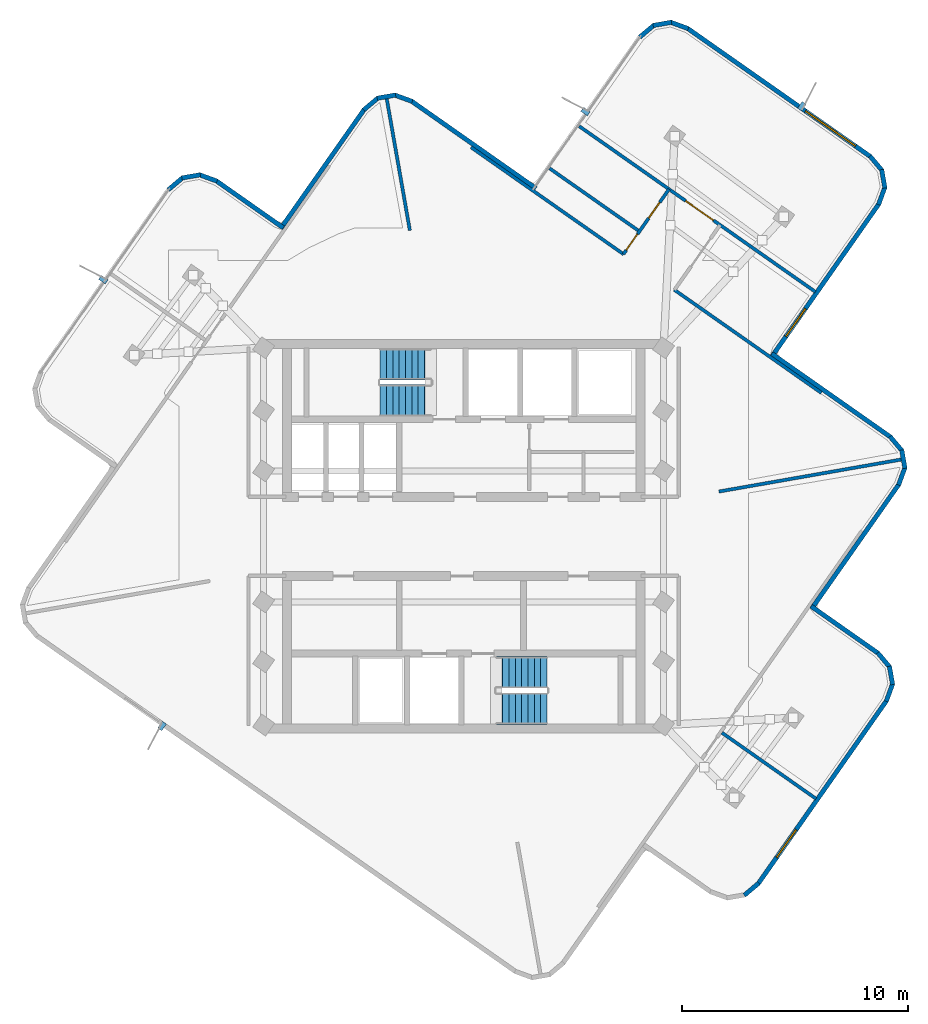
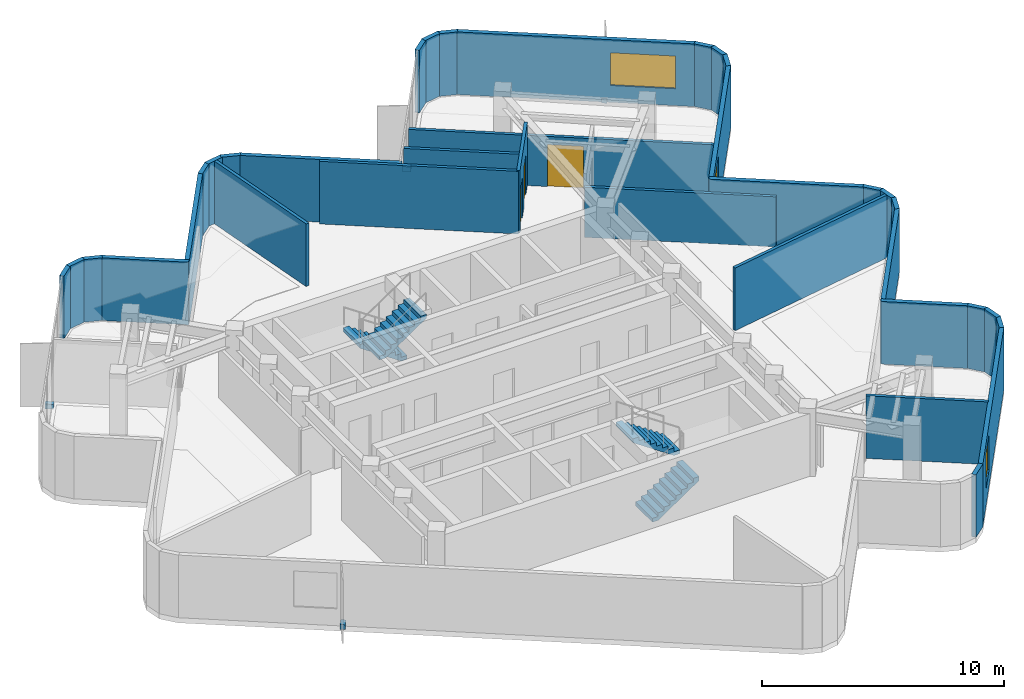
# One storey, part 7 of 9: 36 walls, 4 discrete accessories, 4 stair flights, 3 doors, 3 windows, 6 openings, 2 elements without a shape of their own.
"""IFC4 building model written with IfcOpenShell, lengths in metres."""

from ifc_helpers import new_model, si_unit, direction, frame, frame_2d, origin, origin_2d, place, context, subcontext, project, spatial, polyline, rectangle, outline, extrude, material, layer, layer_set, type_object, element, fill, aggregate, save


model = new_model("IFC4")

# Units and contexts
model_context = context("Model", 3, precision=1e-05, world=origin(), true_north=direction((0.0, 1.0)))
body_context = subcontext(model_context, "Body", "Model", "MODEL_VIEW")
ifc_project = project(units=[si_unit("LENGTHUNIT", "METRE"), si_unit("AREAUNIT", "SQUARE_METRE"), si_unit("VOLUMEUNIT", "CUBIC_METRE"), si_unit("PLANEANGLEUNIT", "RADIAN"), si_unit("MASSUNIT", "GRAM", prefix="KILO")], contexts=[model_context])

# Site, building, storey
site_placement = place(None, origin())
site = spatial("IfcSite", under=ifc_project, at=site_placement, CompositionType="ELEMENT")
building_placement = place(site_placement, origin())
building = spatial("IfcBuilding", under=site, at=building_placement, Name="Solmarez Civic Tower", CompositionType="ELEMENT")
storey_placement = place(building_placement, frame((0.0, 0.0, 268.02001953125)))
storey = spatial("IfcBuildingStorey", under=building, at=storey_placement, Name="L72", CompositionType="ELEMENT", Elevation=268.02001953125)

# Walls
ifc_material_1 = material(Name="Precast concrete C40/50", Category="concrete")
ifc_layer_1 = layer(ifc_material_1, 0.199951171875)
ifc_layer_set_1 = layer_set([ifc_layer_1], Name="Precast concrete C40/50")
wall_type_1 = type_object("IfcWallType", Name="WALL-EXT-200", PredefinedType="SOLIDWALL", material=ifc_layer_set_1)
wall_1_placement = place(storey_placement, frame((-13.06396484375, 15.344970703125, 0.0), z_axis=(0.0, 0.0, 1.0), x_axis=(0.766330415365, 0.642446647191, 0.0)))
element("IfcWall", 1, at=wall_1_placement, inside=storey, type_object=wall_type_1, Name="L72 Exterior Precast Wall 18", PredefinedType="SOLIDWALL", context=body_context, shape_type="SweptSolid", body=[
    extrude(rectangle(XDim=0.837646484375, YDim=0.199951171875, at=frame_2d((0.4189453125, 0.0))), origin(), (0.0, 0.0, 1.0), 3.159912109375),
])
wall_2_placement = place(storey_placement, frame((-12.466064453125, 15.863037109375, 0.0), z_axis=(0.0, 0.0, 1.0), x_axis=(0.985118245285, 0.171877988141, 0.0)))
element("IfcWall", 2, at=wall_2_placement, inside=storey, type_object=wall_type_1, Name="L72 Exterior Precast Wall 19", PredefinedType="SOLIDWALL", context=body_context, shape_type="SweptSolid", body=[
    extrude(rectangle(XDim=0.8251953125, YDim=0.199951171875, at=frame_2d((0.41259765625, 0.0))), origin(), (0.0, 0.0, 1.0), 3.159912109375),
])
wall_3_placement = place(storey_placement, frame((-11.700927734375, 16.010009765625, 0.0), z_axis=(0.0, 0.0, 1.0), x_axis=(0.939042573482, -0.343800880145, 0.0)))
element("IfcWall", 3, at=wall_3_placement, inside=storey, type_object=wall_type_1, Name="L72 Exterior Precast Wall 20", PredefinedType="SOLIDWALL", context=body_context, shape_type="SweptSolid", body=[
    extrude(rectangle(XDim=0.837890625, YDim=0.199951171875, at=frame_2d((0.4189453125, 0.0))), origin(), (0.0, 0.0, 1.0), 3.159912109375),
])
wall_4_placement = place(storey_placement, frame((-10.95703125, 15.7451171875, 0.0), z_axis=(0.0, 0.0, 1.0), x_axis=(0.818576054501, -0.574398157202, 0.0)))
element("IfcWall", 4, at=wall_4_placement, inside=storey, type_object=wall_type_1, Name="L72 Exterior Precast Wall 21", PredefinedType="SOLIDWALL", context=body_context, shape_type="SweptSolid", body=[
    extrude(rectangle(XDim=3.640380859375, YDim=0.199951171875, at=frame_2d((1.8203125, 0.0))), origin(), (0.0, 0.0, 1.0), 3.159912109375),
])
wall_5_placement = place(storey_placement, frame((-8.087890625, 13.635009765625, 0.0), z_axis=(0.0, 0.0, 1.0), x_axis=(0.574286279317, 0.818654548261, 0.0)))
element("IfcWall", 5, at=wall_5_placement, inside=storey, type_object=wall_type_1, Name="L72 Exterior Precast Wall 24", PredefinedType="SOLIDWALL", context=body_context, shape_type="SweptSolid", body=[
    extrude(rectangle(XDim=6.44091796875, YDim=0.199951171875, at=frame_2d((3.220458984375, 0.0))), origin(), (0.0, 0.0, 1.0), 3.159912109375),
])
wall_6_placement = place(storey_placement, frame((-4.422119140625, 18.8720703125, 0.0), z_axis=(0.0, 0.0, 1.0), x_axis=(0.766020352528, 0.642816318642, 0.0)))
element("IfcWall", 6, at=wall_6_placement, inside=storey, type_object=wall_type_1, Name="L72 Exterior Precast Wall 25", PredefinedType="SOLIDWALL", context=body_context, shape_type="SweptSolid", body=[
    extrude(rectangle(XDim=0.838134765625, YDim=0.199951171875, at=frame_2d((0.4189453125, 0.0))), origin(), (0.0, 0.0, 1.0), 3.159912109375),
])
wall_7_placement = place(storey_placement, frame((-3.823974609375, 19.39111328125, 0.0), z_axis=(0.0, 0.0, 1.0), x_axis=(0.985118245285, 0.171877988141, 0.0)))
element("IfcWall", 7, at=wall_7_placement, inside=storey, type_object=wall_type_1, Name="L72 Exterior Precast Wall 26", PredefinedType="SOLIDWALL", context=body_context, shape_type="SweptSolid", body=[
    extrude(rectangle(XDim=0.8251953125, YDim=0.199951171875, at=frame_2d((0.41259765625, 0.0))), origin(), (0.0, 0.0, 1.0), 3.159912109375),
])
wall_8_placement = place(storey_placement, frame((-3.05908203125, 19.5380859375, 0.0), z_axis=(0.0, 0.0, 1.0), x_axis=(0.938939131905, -0.344083284363, 0.0)))
element("IfcWall", 8, at=wall_8_placement, inside=storey, type_object=wall_type_1, Name="L72 Exterior Precast Wall 27", PredefinedType="SOLIDWALL", context=body_context, shape_type="SweptSolid", body=[
    extrude(rectangle(XDim=0.837158203125, YDim=0.199951171875, at=frame_2d((0.41845703125, 0.0))), origin(), (0.0, 0.0, 1.0), 3.159912109375),
])
wall_9_placement = place(storey_placement, frame((-2.31591796875, 19.27294921875, 0.0), z_axis=(0.0, 0.0, 1.0), x_axis=(0.818695592978, -0.574227764949, 0.0)))
element("IfcWall", 9, at=wall_9_placement, inside=storey, type_object=wall_type_1, Name="L72 Exterior Precast Wall 28", PredefinedType="SOLIDWALL", context=body_context, shape_type="SweptSolid", body=[
    extrude(rectangle(XDim=6.740966796875, YDim=0.199951171875, at=frame_2d((3.37060546875, 0.0))), origin(), (0.0, 0.0, 1.0), 3.159912109375),
])
wall_10_placement = place(storey_placement, frame((7.791015625, 22.093994140625, 0.0), z_axis=(0.0, 0.0, 1.0), x_axis=(0.766450684477, 0.642303159159, 0.0)))
element("IfcWall", 10, at=wall_10_placement, inside=storey, type_object=wall_type_1, Name="L72 Exterior Precast Wall 32", PredefinedType="SOLIDWALL", context=body_context, shape_type="SweptSolid", body=[
    extrude(rectangle(XDim=0.837646484375, YDim=0.199951171875, at=frame_2d((0.4189453125, 0.0))), origin(), (0.0, 0.0, 1.0), 3.159912109375),
])
wall_11_placement = place(storey_placement, frame((8.388916015625, 22.612060546875, 0.0), z_axis=(0.0, 0.0, 1.0), x_axis=(0.985118245285, 0.171877988141, 0.0)))
element("IfcWall", 11, at=wall_11_placement, inside=storey, type_object=wall_type_1, Name="L72 Exterior Precast Wall 33", PredefinedType="SOLIDWALL", context=body_context, shape_type="SweptSolid", body=[
    extrude(rectangle(XDim=0.8251953125, YDim=0.199951171875, at=frame_2d((0.41259765625, 0.0))), origin(), (0.0, 0.0, 1.0), 3.159912109375),
])
wall_12_placement = place(storey_placement, frame((9.154052734375, 22.759033203125, 0.0), z_axis=(0.0, 0.0, 1.0), x_axis=(0.939042573482, -0.343800880145, 0.0)))
element("IfcWall", 12, at=wall_12_placement, inside=storey, type_object=wall_type_1, Name="L72 Exterior Precast Wall 34", PredefinedType="SOLIDWALL", context=body_context, shape_type="SweptSolid", body=[
    extrude(rectangle(XDim=0.837890625, YDim=0.199951171875, at=frame_2d((0.4189453125, 0.0))), origin(), (0.0, 0.0, 1.0), 3.159912109375),
])

# Wall, opening, window
wall_13_placement = place(storey_placement, frame((9.89794921875, 22.493896484375, 0.0), z_axis=(0.0, 0.0, 1.0), x_axis=(0.818760017785, -0.5741359014, 0.0)))
wall_13 = element("IfcWall", 13, at=wall_13_placement, inside=storey, type_object=wall_type_1, Name="L72 Exterior Precast Wall 35", PredefinedType="SOLIDWALL", context=body_context, shape_type="SweptSolid", body=[
    extrude(rectangle(XDim=9.92236328125, YDim=0.199951171875, at=frame_2d((4.961181640625, 0.0))), origin(), (0.0, 0.0, 1.0), 3.159912109375),
])
opening_1_placement = place(wall_13_placement, frame((6.389892578125, 0.0, 0.85009765625)))
opening_1 = element("IfcOpeningElement", 14, at=opening_1_placement, cuts=wall_13, Name="Opening W-09", PredefinedType="OPENING", context=body_context, shape_type="SweptSolid", body=[
    extrude(rectangle(XDim=2.699951171875, YDim=1.64990234375, at=frame_2d((1.35009765625, 0.824951171875))), frame((0.0, 0.10986328125, 0.0), z_axis=(0.0, -1.0, 0.0), x_axis=(1.0, 0.0, 0.0)), (0.0, 0.0, 1.0), 0.219970703125),
])
ifc_material_2 = material(Name="Solar Control Bronze-Tinted Insulating Glass", Category="glass")
window_type_1 = type_object("IfcWindowType", Name="WIN-2700X1650", PartitioningType="SINGLE_PANEL", PredefinedType="WINDOW", material=ifc_material_2)
window_1_placement = place(opening_1_placement, origin())
window_1 = element("IfcWindow", 15, at=window_1_placement, inside=storey, type_object=window_type_1, Name="L72 Exterior Facade Window 35", OverallHeight=1.64990234375, OverallWidth=2.699951171875, PartitioningType="SINGLE_PANEL", PredefinedType="WINDOW", context=body_context, shape_type="SweptSolid", body=[
    extrude(rectangle(XDim=2.699951171875, YDim=1.64990234375, at=frame_2d((1.35009765625, 0.824951171875))), frame((0.0, 0.030029296875, 0.0), z_axis=(0.0, -1.0, 0.0), x_axis=(1.0, 0.0, 0.0)), (0.0, 0.0, 1.0), 0.06005859375),
])
fill(opening_1, window_1)

# Walls
wall_14_placement = place(storey_placement, frame((17.986083984375, 16.830078125, 0.0), z_axis=(0.0, 0.0, 1.0), x_axis=(0.642131913787, -0.766594159446, 0.0)))
element("IfcWall", 16, at=wall_14_placement, inside=storey, type_object=wall_type_1, Name="L72 Exterior Precast Wall 36", PredefinedType="SOLIDWALL", context=body_context, shape_type="SweptSolid", body=[
    extrude(rectangle(XDim=0.837646484375, YDim=0.199951171875, at=frame_2d((0.4189453125, 0.0))), origin(), (0.0, 0.0, 1.0), 3.159912109375),
])
wall_15_placement = place(storey_placement, frame((18.50390625, 16.23193359375, 0.0), z_axis=(0.0, 0.0, 1.0), x_axis=(0.172165058078, -0.985068115806, 0.0)))
element("IfcWall", 17, at=wall_15_placement, inside=storey, type_object=wall_type_1, Name="L72 Exterior Precast Wall 37", PredefinedType="SOLIDWALL", context=body_context, shape_type="SweptSolid", body=[
    extrude(rectangle(XDim=0.8251953125, YDim=0.199951171875, at=frame_2d((0.41259765625, 0.0))), origin(), (0.0, 0.0, 1.0), 3.159912109375),
])
wall_16_placement = place(storey_placement, frame((18.65087890625, 15.467041015625, 0.0), z_axis=(0.0, 0.0, 1.0), x_axis=(-0.343826172689, -0.939033313027, 0.0)))
element("IfcWall", 18, at=wall_16_placement, inside=storey, type_object=wall_type_1, Name="L72 Exterior Precast Wall 38", PredefinedType="SOLIDWALL", context=body_context, shape_type="SweptSolid", body=[
    extrude(rectangle(XDim=0.837158203125, YDim=0.199951171875, at=frame_2d((0.41845703125, 0.0))), origin(), (0.0, 0.0, 1.0), 3.159912109375),
])

# Wall, opening, window
wall_17_placement = place(storey_placement, frame((18.385986328125, 14.72412109375, 0.0), z_axis=(0.0, 0.0, 1.0), x_axis=(-0.574193796103, -0.818719417454, 0.0)))
wall_17 = element("IfcWall", 19, at=wall_17_placement, inside=storey, type_object=wall_type_1, Name="L72 Exterior Precast Wall 39", PredefinedType="SOLIDWALL", context=body_context, shape_type="SweptSolid", body=[
    extrude(rectangle(XDim=8.240966796875, YDim=0.199951171875, at=frame_2d((4.12060546875, 0.0))), origin(), (0.0, 0.0, 1.0), 3.159912109375),
])
opening_2_placement = place(wall_17_placement, frame((5.677978515625, 0.0, 0.85009765625)))
opening_2 = element("IfcOpeningElement", 20, at=opening_2_placement, cuts=wall_17, Name="Opening W-13", PredefinedType="OPENING", context=body_context, shape_type="SweptSolid", body=[
    extrude(rectangle(XDim=1.5, YDim=1.800048828125, at=frame_2d((0.75, 0.89990234375))), frame((0.0, 0.10986328125, 0.0), z_axis=(0.0, -1.0, 0.0), x_axis=(1.0, 0.0, 0.0)), (0.0, 0.0, 1.0), 0.219970703125),
])
window_type_2 = type_object("IfcWindowType", Name="WIN-1500X1800", PartitioningType="SINGLE_PANEL", PredefinedType="WINDOW", material=ifc_material_2)
window_2_placement = place(opening_2_placement, origin())
window_2 = element("IfcWindow", 21, at=window_2_placement, inside=storey, type_object=window_type_2, Name="L72 Exterior Facade Window 39", OverallHeight=1.800048828125, OverallWidth=1.5, PartitioningType="SINGLE_PANEL", PredefinedType="WINDOW", context=body_context, shape_type="SweptSolid", body=[
    extrude(rectangle(XDim=1.5, YDim=1.800048828125, at=frame_2d((0.75, 0.89990234375))), frame((0.0, 0.030029296875, 0.0), z_axis=(0.0, -1.0, 0.0), x_axis=(1.0, 0.0, 0.0)), (0.0, 0.0, 1.0), 0.06005859375),
])
fill(opening_2, window_2)

# Walls
wall_18_placement = place(storey_placement, frame((13.635009765625, 8.087890625, 0.0), z_axis=(0.0, 0.0, 1.0), x_axis=(0.818654548261, -0.574286279317, 0.0)))
element("IfcWall", 22, at=wall_18_placement, inside=storey, type_object=wall_type_1, Name="L72 Exterior Precast Wall 42", PredefinedType="SOLIDWALL", context=body_context, shape_type="SweptSolid", body=[
    extrude(rectangle(XDim=6.44091796875, YDim=0.199951171875, at=frame_2d((3.220458984375, 0.0))), origin(), (0.0, 0.0, 1.0), 3.159912109375),
])
wall_19_placement = place(storey_placement, frame((18.8720703125, 4.422119140625, 0.0), z_axis=(0.0, 0.0, 1.0), x_axis=(0.642816318642, -0.766020352528, 0.0)))
element("IfcWall", 23, at=wall_19_placement, inside=storey, type_object=wall_type_1, Name="L72 Exterior Precast Wall 43", PredefinedType="SOLIDWALL", context=body_context, shape_type="SweptSolid", body=[
    extrude(rectangle(XDim=0.838134765625, YDim=0.199951171875, at=frame_2d((0.4189453125, 0.0))), origin(), (0.0, 0.0, 1.0), 3.159912109375),
])
wall_20_placement = place(storey_placement, frame((19.39111328125, 3.823974609375, 0.0), z_axis=(0.0, 0.0, 1.0), x_axis=(0.171877988141, -0.985118245285, 0.0)))
element("IfcWall", 24, at=wall_20_placement, inside=storey, type_object=wall_type_1, Name="L72 Exterior Precast Wall 44", PredefinedType="SOLIDWALL", context=body_context, shape_type="SweptSolid", body=[
    extrude(rectangle(XDim=0.8251953125, YDim=0.199951171875, at=frame_2d((0.41259765625, 0.0))), origin(), (0.0, 0.0, 1.0), 3.159912109375),
])
wall_21_placement = place(storey_placement, frame((19.5380859375, 3.05908203125, 0.0), z_axis=(0.0, 0.0, 1.0), x_axis=(-0.344083284363, -0.938939131905, 0.0)))
element("IfcWall", 25, at=wall_21_placement, inside=storey, type_object=wall_type_1, Name="L72 Exterior Precast Wall 45", PredefinedType="SOLIDWALL", context=body_context, shape_type="SweptSolid", body=[
    extrude(rectangle(XDim=0.837158203125, YDim=0.199951171875, at=frame_2d((0.41845703125, 0.0))), origin(), (0.0, 0.0, 1.0), 3.159912109375),
])
wall_22_placement = place(storey_placement, frame((19.27294921875, 2.31591796875, 0.0), z_axis=(0.0, 0.0, 1.0), x_axis=(-0.574227764949, -0.818695592978, 0.0)))
element("IfcWall", 26, at=wall_22_placement, inside=storey, type_object=wall_type_1, Name="L72 Exterior Precast Wall 46", PredefinedType="SOLIDWALL", context=body_context, shape_type="SweptSolid", body=[
    extrude(rectangle(XDim=6.740966796875, YDim=0.199951171875, at=frame_2d((3.37060546875, 0.0))), origin(), (0.0, 0.0, 1.0), 3.159912109375),
])
wall_23_placement = place(storey_placement, frame((15.383056640625, -3.092041015625, 0.0), z_axis=(0.0, 0.0, 1.0), x_axis=(0.818664531158, -0.574272048269, 0.0)))
element("IfcWall", 27, at=wall_23_placement, inside=storey, type_object=wall_type_1, Name="L72 Exterior Precast Wall 49", PredefinedType="SOLIDWALL", context=body_context, shape_type="SweptSolid", body=[
    extrude(rectangle(XDim=3.641357421875, YDim=0.199951171875, at=frame_2d((1.82080078125, 0.0))), origin(), (0.0, 0.0, 1.0), 3.159912109375),
])
wall_24_placement = place(storey_placement, frame((18.327880859375, -5.14990234375, 0.0), z_axis=(0.0, 0.0, 1.0), x_axis=(0.642303159159, -0.766450684477, 0.0)))
element("IfcWall", 28, at=wall_24_placement, inside=storey, type_object=wall_type_1, Name="L72 Exterior Precast Wall 50", PredefinedType="SOLIDWALL", context=body_context, shape_type="SweptSolid", body=[
    extrude(rectangle(XDim=0.837646484375, YDim=0.199951171875, at=frame_2d((0.4189453125, 0.0))), origin(), (0.0, 0.0, 1.0), 3.159912109375),
])
wall_25_placement = place(storey_placement, frame((18.845947265625, -5.748046875, 0.0), z_axis=(0.0, 0.0, 1.0), x_axis=(0.172165058078, -0.985068115806, 0.0)))
element("IfcWall", 29, at=wall_25_placement, inside=storey, type_object=wall_type_1, Name="L72 Exterior Precast Wall 51", PredefinedType="SOLIDWALL", context=body_context, shape_type="SweptSolid", body=[
    extrude(rectangle(XDim=0.8251953125, YDim=0.199951171875, at=frame_2d((0.41259765625, 0.0))), origin(), (0.0, 0.0, 1.0), 3.159912109375),
])
wall_26_placement = place(storey_placement, frame((18.992919921875, -6.512939453125, 0.0), z_axis=(0.0, 0.0, 1.0), x_axis=(-0.343449935769, -0.93917098636, 0.0)))
element("IfcWall", 30, at=wall_26_placement, inside=storey, type_object=wall_type_1, Name="L72 Exterior Precast Wall 52", PredefinedType="SOLIDWALL", context=body_context, shape_type="SweptSolid", body=[
    extrude(rectangle(XDim=0.838134765625, YDim=0.199951171875, at=frame_2d((0.4189453125, 0.0))), origin(), (0.0, 0.0, 1.0), 3.159912109375),
])

# Wall, opening, window
wall_27_placement = place(storey_placement, frame((18.72802734375, -7.257080078125, 0.0), z_axis=(0.0, 0.0, 1.0), x_axis=(-0.574152395536, -0.818748451419, 0.0)))
wall_27 = element("IfcWall", 31, at=wall_27_placement, inside=storey, type_object=wall_type_1, Name="L72 Exterior Precast Wall 53", PredefinedType="SOLIDWALL", context=body_context, shape_type="SweptSolid", body=[
    extrude(rectangle(XDim=9.922607421875, YDim=0.199951171875, at=frame_2d((4.96142578125, 0.0))), origin(), (0.0, 0.0, 1.0), 3.159912109375),
])
opening_3_placement = place(wall_27_placement, frame((6.989990234375, 0.0, 0.85009765625)))
opening_3 = element("IfcOpeningElement", 32, at=opening_3_placement, cuts=wall_27, Name="Opening W-13", PredefinedType="OPENING", context=body_context, shape_type="SweptSolid", body=[
    extrude(rectangle(XDim=1.5, YDim=1.800048828125, at=frame_2d((0.75, 0.89990234375))), frame((0.0, 0.10986328125, 0.0), z_axis=(0.0, -1.0, 0.0), x_axis=(1.0, 0.0, 0.0)), (0.0, 0.0, 1.0), 0.219970703125),
])
window_3_placement = place(opening_3_placement, origin())
window_3 = element("IfcWindow", 33, at=window_3_placement, inside=storey, type_object=window_type_2, Name="L72 Exterior Facade Window 53", OverallHeight=1.800048828125, OverallWidth=1.5, PartitioningType="SINGLE_PANEL", PredefinedType="WINDOW", context=body_context, shape_type="SweptSolid", body=[
    extrude(rectangle(XDim=1.5, YDim=1.800048828125, at=frame_2d((0.75, 0.89990234375))), frame((0.0, 0.030029296875, 0.0), z_axis=(0.0, -1.0, 0.0), x_axis=(1.0, 0.0, 0.0)), (0.0, 0.0, 1.0), 0.06005859375),
])
fill(opening_3, window_3)

# Walls
wall_28_placement = place(storey_placement, frame((13.06396484375, -15.344970703125, 0.0), z_axis=(0.0, 0.0, 1.0), x_axis=(-0.766330415365, -0.642446647191, 0.0)))
element("IfcWall", 34, at=wall_28_placement, inside=storey, type_object=wall_type_1, Name="L72 Exterior Precast Wall 54", PredefinedType="SOLIDWALL", context=body_context, shape_type="SweptSolid", body=[
    extrude(rectangle(XDim=0.837646484375, YDim=0.199951171875, at=frame_2d((0.4189453125, 0.0))), origin(), (0.0, 0.0, 1.0), 3.159912109375),
])
ifc_material_3 = material(Name="Gypsum Board Acoustic Steel-Stud Partition", Category="steel")
ifc_layer_2 = layer(ifc_material_3, 0.14501953125)
ifc_layer_set_2 = layer_set([ifc_layer_2], Name="Gypsum Board Acoustic Steel-Stud Partition")
wall_type_2 = type_object("IfcWallType", Name="WALL-INT-PART-150", PredefinedType="PARTITIONING", material=ifc_layer_set_2)
wall_29_placement = place(storey_placement, frame((-2.3779296875, 13.5400390625, 0.0), z_axis=(0.0, 0.0, 1.0), x_axis=(-0.173019547247, 0.984918390665, 0.0)))
element("IfcWall", 35, at=wall_29_placement, inside=storey, type_object=wall_type_2, Name="L72 Interior Partition PT-L72-QDIV-1", PredefinedType="PARTITIONING", context=body_context, shape_type="SweptSolid", body=[
    extrude(rectangle(XDim=5.947509765625, YDim=0.14501953125, at=frame_2d((2.9736328125, 0.0))), origin(), (0.0, 0.0, 1.0), 3.159912109375),
])
wall_30_placement = place(storey_placement, frame((11.300048828125, 1.985107421875, 0.0), z_axis=(0.0, 0.0, 1.0), x_axis=(0.984932365377, 0.172939976965, 0.0)))
element("IfcWall", 36, at=wall_30_placement, inside=storey, type_object=wall_type_2, Name="L72 Interior Partition PT-L72-QDIV-4", PredefinedType="PARTITIONING", context=body_context, shape_type="SweptSolid", body=[
    extrude(rectangle(XDim=8.2216796875, YDim=0.14501953125, at=frame_2d((4.11083984375, 0.0))), origin(), (0.0, 0.0, 1.0), 3.159912109375),
])
wall_31_placement = place(storey_placement, frame((7.0830078125, 12.487060546875, 0.0), z_axis=(0.0, 0.0, 1.0), x_axis=(-0.818818791344, 0.574052076855, 0.0)))
element("IfcWall", 37, at=wall_31_placement, inside=storey, type_object=wall_type_2, Name="L72 Interior Partition PT-L72-E-EFL", PredefinedType="PARTITIONING", context=body_context, shape_type="SweptSolid", body=[
    extrude(rectangle(XDim=8.249755859375, YDim=0.14501953125, at=frame_2d((4.125, 0.0))), origin(), (0.0, 0.0, 1.0), 3.159912109375),
])
wall_32_placement = place(storey_placement, frame((15.8349609375, 6.34912109375, 0.0), z_axis=(0.0, 0.0, 1.0), x_axis=(-0.818780073776, 0.57410729902, 0.0)))
element("IfcWall", 38, at=wall_32_placement, inside=storey, type_object=wall_type_2, Name="L72 Interior Partition PT-L72-E-EFR", PredefinedType="PARTITIONING", context=body_context, shape_type="SweptSolid", body=[
    extrude(rectangle(XDim=7.94970703125, YDim=0.14501953125, at=frame_2d((3.974853515625, 0.0))), origin(), (0.0, 0.0, 1.0), 2.530029296875),
])
wall_33_placement = place(storey_placement, frame((7.764892578125, 13.510986328125, 0.0), z_axis=(0.0, 0.0, 1.0), x_axis=(-0.818761977847, 0.574133106198, 0.0)))
element("IfcWall", 39, at=wall_33_placement, inside=storey, type_object=wall_type_2, Name="L72 Interior Partition PT-L72-E-LM", PredefinedType="PARTITIONING", context=body_context, shape_type="SweptSolid", body=[
    extrude(rectangle(XDim=4.83544921875, YDim=0.14501953125, at=frame_2d((2.417724609375, 0.0))), origin(), (0.0, 0.0, 1.0), 3.159912109375),
])

# Wall, openings, doors
wall_34_placement = place(storey_placement, frame((9.090087890625, 15.365966796875, 0.0), z_axis=(0.0, 0.0, 1.0), x_axis=(-0.574097025606, -0.81878727713, 0.0)))
wall_34 = element("IfcWall", 40, at=wall_34_placement, inside=storey, type_object=wall_type_2, Name="L72 Interior Partition PT-L72-E-SL", PredefinedType="PARTITIONING", context=body_context, shape_type="SweptSolid", body=[
    extrude(rectangle(XDim=3.510009765625, YDim=0.14501953125, at=frame_2d((1.7548828125, 0.0))), origin(), (0.0, 0.0, 1.0), 3.159912109375),
])
opening_4_placement = place(wall_34_placement, frame((2.429931640625, 0.0, 0.0)))
opening_4 = element("IfcOpeningElement", 41, at=opening_4_placement, cuts=wall_34, Name="Opening D-14", PredefinedType="OPENING", context=body_context, shape_type="SweptSolid", body=[
    extrude(rectangle(XDim=0.860107421875, YDim=2.0400390625, at=frame_2d((0.43017578125, 1.02001953125))), frame((0.0, 0.08251953125, 0.0), z_axis=(0.0, -1.0, 0.0), x_axis=(1.0, 0.0, 0.0)), (0.0, 0.0, 1.0), 0.1650390625),
])
opening_5_placement = place(wall_34_placement, frame((0.7099609375, 0.0, 0.0)))
opening_5 = element("IfcOpeningElement", 42, at=opening_5_placement, cuts=wall_34, Name="Opening D-14", PredefinedType="OPENING", context=body_context, shape_type="SweptSolid", body=[
    extrude(rectangle(XDim=0.860107421875, YDim=2.0400390625, at=frame_2d((0.43017578125, 1.02001953125))), frame((0.0, 0.08251953125, 0.0), z_axis=(0.0, -1.0, 0.0), x_axis=(1.0, 0.0, 0.0)), (0.0, 0.0, 1.0), 0.1650390625),
])
ifc_material_4 = material(Name="Timber Storage and Pantry Door", Category="wood")
door_type_1 = type_object("IfcDoorType", Name="DOOR-INT-850", OperationType="NOTDEFINED", PredefinedType="DOOR", material=ifc_material_4)
door_1_placement = place(opening_4_placement, origin())
door_1 = element("IfcDoor", 43, at=door_1_placement, inside=storey, type_object=door_type_1, Name="L72 Executive Chamber Executive Boardroom First East Door", OperationType="SINGLE_SWING_LEFT", OverallHeight=2.0400390625, OverallWidth=0.860107421875, PredefinedType="DOOR", context=body_context, shape_type="SweptSolid", body=[
    extrude(rectangle(XDim=0.860107421875, YDim=2.0400390625, at=frame_2d((0.43017578125, 1.02001953125))), frame((0.0, 0.02490234375, 0.0), z_axis=(0.0, -1.0, 0.0), x_axis=(1.0, 0.0, 0.0)), (0.0, 0.0, 1.0), 0.050048828125),
])
fill(opening_4, door_1)
door_2_placement = place(opening_5_placement, origin())
door_2 = element("IfcDoor", 44, at=door_2_placement, inside=storey, type_object=door_type_1, Name="L72 Diplomatic Sitting Lounge Second East Door", OperationType="SINGLE_SWING_RIGHT", OverallHeight=2.0400390625, OverallWidth=0.860107421875, PredefinedType="DOOR", context=body_context, shape_type="SweptSolid", body=[
    extrude(rectangle(XDim=0.860107421875, YDim=2.0400390625, at=frame_2d((0.43017578125, 1.02001953125))), frame((0.0, 0.02490234375, 0.0), z_axis=(0.0, -1.0, 0.0), x_axis=(1.0, 0.0, 0.0)), (0.0, 0.0, 1.0), 0.050048828125),
])
fill(opening_5, door_2)

# Wall, opening, door
wall_35_placement = place(storey_placement, frame((5.114990234375, 18.154052734375, 0.0), z_axis=(0.0, 0.0, 1.0), x_axis=(0.818735813326, -0.574170417191, 0.0)))
wall_35 = element("IfcWall", 45, at=wall_35_placement, inside=storey, type_object=wall_type_2, Name="L72 Interior Partition PT-L72-E-END", PredefinedType="PARTITIONING", context=body_context, shape_type="SweptSolid", body=[
    extrude(rectangle(XDim=12.769775390625, YDim=0.14501953125, at=frame_2d((6.384765625, 0.0))), origin(), (0.0, 0.0, 1.0), 2.530029296875),
])
opening_6_placement = place(wall_35_placement, frame((5.760009765625, 0.0, 0.0)))
opening_6 = element("IfcOpeningElement", 46, at=opening_6_placement, cuts=wall_35, Name="Opening D-16", PredefinedType="OPENING", context=body_context, shape_type="SweptSolid", body=[
    extrude(rectangle(XDim=1.5, YDim=2.1201171875, at=frame_2d((0.75, 1.06005859375))), frame((0.0, 0.08251953125, 0.0), z_axis=(0.0, -1.0, 0.0), x_axis=(1.0, 0.0, 0.0)), (0.0, 0.0, 1.0), 0.1650390625),
])
ifc_material_5 = material(Name="Diplomatic Protocol Reception Door", Category="wood")
door_type_2 = type_object("IfcDoorType", Name="DOOR-INT-1500", OperationType="NOTDEFINED", PredefinedType="DOOR", material=ifc_material_5)
door_3_placement = place(opening_6_placement, origin())
door_3 = element("IfcDoor", 47, at=door_3_placement, inside=storey, type_object=door_type_2, Name="L72 Protocol Reception Room Fifth East Door", OperationType="SINGLE_SWING_LEFT", OverallHeight=2.1201171875, OverallWidth=1.5, PredefinedType="DOOR", context=body_context, shape_type="SweptSolid", body=[
    extrude(rectangle(XDim=1.5, YDim=2.1201171875, at=frame_2d((0.75, 1.06005859375))), frame((0.0, 0.02490234375, 0.0), z_axis=(0.0, -1.0, 0.0), x_axis=(1.0, 0.0, 0.0)), (0.0, 0.0, 1.0), 0.050048828125),
])
fill(opening_6, door_3)

# Wall
wall_36_placement = place(storey_placement, frame((11.43310546875, -8.68896484375, 0.0), z_axis=(0.0, 0.0, 1.0), x_axis=(0.81868341552, -0.574245126363, 0.0)))
element("IfcWall", 48, at=wall_36_placement, inside=storey, type_object=wall_type_2, Name="L72 Interior Partition PT-L72-S-ALM", PredefinedType="PARTITIONING", context=body_context, shape_type="SweptSolid", body=[
    extrude(rectangle(XDim=5.084716796875, YDim=0.14501953125, at=frame_2d((2.54248046875, 0.0))), origin(), (0.0, 0.0, 1.0), 3.159912109375),
])

# Stair, stair flights
ifc_material_6 = material(Name="Concrete C50/60", Category="concrete")
stair_type = type_object("IfcStairType", Name="STAIR-DOGLEG-140W-18R-1900", PredefinedType="HALF_TURN_STAIR", material=ifc_material_6)
stair_1_placement = place(storey_placement, origin())
stair_1 = element("IfcStair", 49, at=stair_1_placement, inside=storey, type_object=stair_type, Name="L72 North Core Protected Exit Stair ST-1", PredefinedType="HALF_TURN_STAIR")
stair_flight_type = type_object("IfcStairFlightType", Name="FLIGHT-DOGLEG-140W-9R-1900", PredefinedType="STRAIGHT", material=ifc_material_6)
stair_flight_1_placement = place(storey_placement, frame((-1.449951171875, 7.6201171875, 0.0), z_axis=(0.0, 0.0, 1.0), x_axis=(-1.0, 0.0, 0.0)))
stair_flight_1 = element("IfcStairFlight", 50, at=stair_flight_1_placement, type_object=stair_flight_type, Name="ST-1 flight 1", NumberOfRisers=9, NumberOfTreads=8, PredefinedType="STRAIGHT", RiserHeight=0.19, TreadLength=0.28, context=body_context, shape_type="SweptSolid", body=[
    extrude(outline(polyline([(0.0, 0.0), (0.0, 0.18994140625), (0.280029296875, 0.18994140625), (0.280029296875, 0.3798828125), (0.56005859375, 0.3798828125), (0.56005859375, 0.570068359375), (0.840087890625, 0.570068359375), (0.840087890625, 0.760009765625), (1.1201171875, 0.760009765625), (1.1201171875, 0.949951171875), (1.39990234375, 0.949951171875), (1.39990234375, 1.139892578125), (1.679931640625, 1.139892578125), (1.679931640625, 1.330078125), (1.9599609375, 1.330078125), (1.9599609375, 1.52001953125), (2.239990234375, 1.52001953125), (2.239990234375, 1.7099609375), (2.239990234375, 1.32666015625), (0.284912109375, 0.0), (0.0, 0.0)])), frame((0.0, 0.699951171875, 0.0), z_axis=(0.0, -1.0, 0.0), x_axis=(1.0, 0.0, 0.0)), (0.0, 0.0, 1.0), 1.39990234375),
])
stair_flight_2_placement = place(storey_placement, frame((-3.68994140625, 6.02001953125, 1.7099609375), z_axis=(0.0, 0.0, 1.0), x_axis=(1.0, 0.0, 0.0)))
stair_flight_2 = element("IfcStairFlight", 51, at=stair_flight_2_placement, type_object=stair_flight_type, Name="ST-1 flight 2", NumberOfRisers=9, NumberOfTreads=8, PredefinedType="STRAIGHT", RiserHeight=0.19, TreadLength=0.28, context=body_context, shape_type="SweptSolid", body=[
    extrude(outline(polyline([(0.0, 0.0), (0.0, 0.18994140625), (0.280029296875, 0.18994140625), (0.280029296875, 0.3798828125), (0.56005859375, 0.3798828125), (0.56005859375, 0.570068359375), (0.840087890625, 0.570068359375), (0.840087890625, 0.760009765625), (1.1201171875, 0.760009765625), (1.1201171875, 0.949951171875), (1.39990234375, 0.949951171875), (1.39990234375, 1.139892578125), (1.679931640625, 1.139892578125), (1.679931640625, 1.330078125), (1.9599609375, 1.330078125), (1.9599609375, 1.52001953125), (2.239990234375, 1.52001953125), (2.239990234375, 1.7099609375), (2.239990234375, 1.32666015625), (0.284912109375, 0.0), (0.0, 0.0)])), frame((0.0, 0.699951171875, 0.0), z_axis=(0.0, -1.0, 0.0), x_axis=(1.0, 0.0, 0.0)), (0.0, 0.0, 1.0), 1.39990234375),
])
aggregate(stair_1, [stair_flight_1, stair_flight_2])

stair_2_placement = place(storey_placement, origin())
stair_2 = element("IfcStair", 52, at=stair_2_placement, inside=storey, type_object=stair_type, Name="L72 South Core Protected Exit Stair ST-2", PredefinedType="HALF_TURN_STAIR")
stair_flight_3_placement = place(storey_placement, frame((1.449951171875, -7.6201171875, 0.0), z_axis=(0.0, 0.0, 1.0), x_axis=(1.0, 0.0, 0.0)))
stair_flight_3 = element("IfcStairFlight", 53, at=stair_flight_3_placement, type_object=stair_flight_type, Name="ST-2 flight 1", NumberOfRisers=9, NumberOfTreads=8, PredefinedType="STRAIGHT", RiserHeight=0.19, TreadLength=0.28, context=body_context, shape_type="SweptSolid", body=[
    extrude(outline(polyline([(0.0, 0.0), (0.0, 0.18994140625), (0.280029296875, 0.18994140625), (0.280029296875, 0.3798828125), (0.56005859375, 0.3798828125), (0.56005859375, 0.570068359375), (0.840087890625, 0.570068359375), (0.840087890625, 0.760009765625), (1.1201171875, 0.760009765625), (1.1201171875, 0.949951171875), (1.39990234375, 0.949951171875), (1.39990234375, 1.139892578125), (1.679931640625, 1.139892578125), (1.679931640625, 1.330078125), (1.9599609375, 1.330078125), (1.9599609375, 1.52001953125), (2.239990234375, 1.52001953125), (2.239990234375, 1.7099609375), (2.239990234375, 1.32666015625), (0.284912109375, 0.0), (0.0, 0.0)])), frame((0.0, 0.699951171875, 0.0), z_axis=(0.0, -1.0, 0.0), x_axis=(1.0, 0.0, 0.0)), (0.0, 0.0, 1.0), 1.39990234375),
])
stair_flight_4_placement = place(storey_placement, frame((3.68994140625, -6.02001953125, 1.7099609375), z_axis=(0.0, 0.0, 1.0), x_axis=(-1.0, 0.0, 0.0)))
stair_flight_4 = element("IfcStairFlight", 54, at=stair_flight_4_placement, type_object=stair_flight_type, Name="ST-2 flight 2", NumberOfRisers=9, NumberOfTreads=8, PredefinedType="STRAIGHT", RiserHeight=0.19, TreadLength=0.28, context=body_context, shape_type="SweptSolid", body=[
    extrude(outline(polyline([(0.0, 0.0), (0.0, 0.18994140625), (0.280029296875, 0.18994140625), (0.280029296875, 0.3798828125), (0.56005859375, 0.3798828125), (0.56005859375, 0.570068359375), (0.840087890625, 0.570068359375), (0.840087890625, 0.760009765625), (1.1201171875, 0.760009765625), (1.1201171875, 0.949951171875), (1.39990234375, 0.949951171875), (1.39990234375, 1.139892578125), (1.679931640625, 1.139892578125), (1.679931640625, 1.330078125), (1.9599609375, 1.330078125), (1.9599609375, 1.52001953125), (2.239990234375, 1.52001953125), (2.239990234375, 1.7099609375), (2.239990234375, 1.32666015625), (0.284912109375, 0.0), (0.0, 0.0)])), frame((0.0, 0.699951171875, 0.0), z_axis=(0.0, -1.0, 0.0), x_axis=(1.0, 0.0, 0.0)), (0.0, 0.0, 1.0), 1.39990234375),
])
aggregate(stair_2, [stair_flight_3, stair_flight_4])

# Discrete accessories
ifc_material_7 = material(Name="Stainless Steel Grade 1.4401", Category="steel")
discrete_accessory_type = type_object("IfcDiscreteAccessoryType", Name="BRACKET-SS-FIN", PredefinedType="BRACKET", material=ifc_material_7)
for number, where, z_axis, x_axis, name in (
    (55, (-13.343017578125, -8.388916015625, -0.06005859375), (0.0, 0.0, 1.0), (-0.574167668182, -0.818737741169, 0.0), "L72 Stainless Fin Support Bracket FIN-L72-01"),
    (56, (-15.945068359375, 11.364990234375, -0.06005859375), (0.0, 0.0, 1.0), (-0.818746299532, 0.57415546414, 0.0), "L72 Stainless Fin Support Bracket FIN-L72-02"),
    (57, (5.39306640625, 18.802001953125, -0.06005859375), (0.0, 0.0, 1.0), (-0.818735079432, 0.574171463683, 0.0), "L72 Stainless Fin Support Bracket FIN-L72-03"),
    (58, (14.970947265625, 19.033935546875, -0.06005859375), (0.0, 0.0, 1.0), (0.57415546414, 0.818746299532, 0.0), "L72 Stainless Fin Support Bracket FIN-L72-04"),
):
    element("IfcDiscreteAccessory", number, at=place(storey_placement, frame(where, z_axis=z_axis, x_axis=x_axis)), inside=storey, type_object=discrete_accessory_type, Name=name, PredefinedType="BRACKET", context=body_context, shape_type="SweptSolid", body=[
        extrude(rectangle(XDim=0.360107421875, YDim=0.219970703125, at=origin_2d()), origin(), (0.0, 0.0, 1.0), 0.239990234375),
    ])

save(model, "model.ifc")
